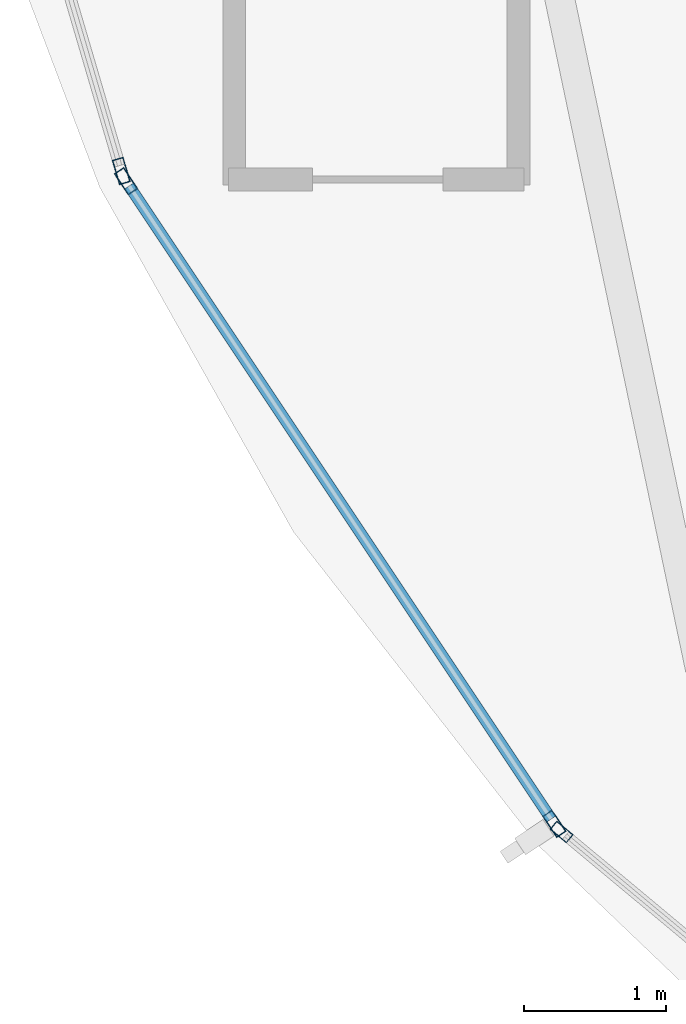
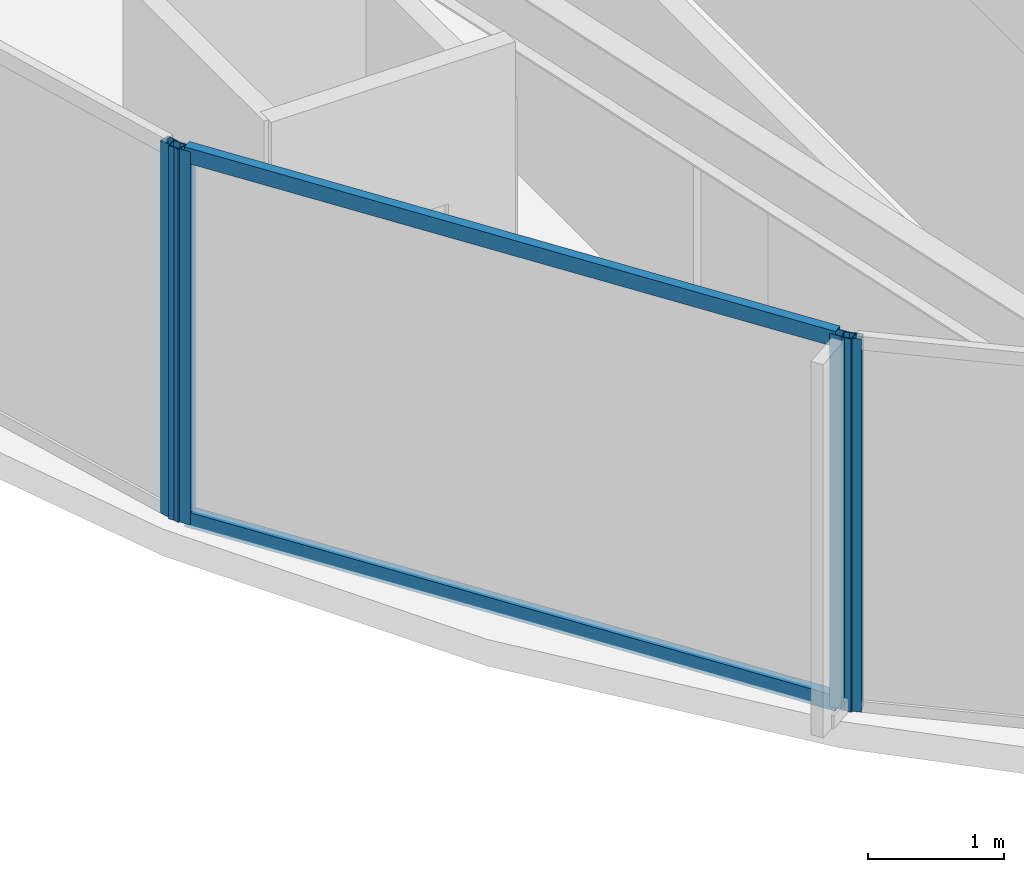
# One storey, part 3 of 28: 6 members, 3 elements without a shape of their own.
"""IFC4 building model written with IfcOpenShell, lengths in metres."""

from ifc_helpers import new_model, si_unit, direction, frame, origin, origin_2d, place, context, subcontext, project, spatial, hollow_rectangle, extrude, material, layer, layer_set, material_profile, profile_set, type_object, element, aggregate, save


model = new_model("IFC4")

# Units and contexts
model_context = context("Model", 3, precision=1e-05, world=origin(), true_north=direction((0.0, 1.0)))
body_context = subcontext(model_context, "Body", "Model", "MODEL_VIEW")
ifc_project = project(units=[si_unit("LENGTHUNIT", "METRE"), si_unit("AREAUNIT", "SQUARE_METRE"), si_unit("VOLUMEUNIT", "CUBIC_METRE"), si_unit("PLANEANGLEUNIT", "RADIAN"), si_unit("MASSUNIT", "GRAM", prefix="KILO")], contexts=[model_context])

# Site, building, storey
site_placement = place(None, origin())
site = spatial("IfcSite", under=ifc_project, at=site_placement, CompositionType="ELEMENT")
building_placement = place(site_placement, origin())
building = spatial("IfcBuilding", under=site, at=building_placement, Name="Kazevale Care Tower and Concert Hall", CompositionType="ELEMENT")
storey_placement = place(building_placement, frame((0.0, 0.0, 231.60009765625)))
storey = spatial("IfcBuildingStorey", under=building, at=storey_placement, Name="L61", CompositionType="ELEMENT", Elevation=231.60009765625)

# Curtain wall, members
ifc_material_1 = material(Name="Aluminium 6063-T6 and Low-E Glass", Category="aluminium")
ifc_layer_1 = layer(ifc_material_1, 0.179931640625)
ifc_layer_set_1 = layer_set([ifc_layer_1], Name="Aluminium 6063-T6 and Low-E Glass")
curtain_wall_type_1 = type_object("IfcCurtainWallType", Name="Waist & Upper Residential Curtain Wall CW-4", PredefinedType="NOTDEFINED", material=ifc_layer_set_1)
curtain_wall_1_placement = place(storey_placement, origin())
curtain_wall_1 = element("IfcCurtainWall", 1, at=curtain_wall_1_placement, inside=storey, type_object=curtain_wall_type_1, Name="cw:L61:f11", PredefinedType="NOTDEFINED")
ifc_material_2 = material(Name="Aluminium 6063-T6", Category="aluminium")
ifc_material_profile_1 = material_profile(ifc_material_2, hollow_rectangle(XDim=0.080078125, YDim=0.179931640625, WallThickness=0.0048828125, at=origin_2d()), Name="ALU80x180x5")
ifc_profile_set_1 = profile_set([ifc_material_profile_1], Name="Aluminium 6063-T6")
member_type_1 = type_object("IfcMemberType", Name="CW-4 Mullion ALU80x180x5", PredefinedType="MULLION", material=ifc_profile_set_1)
member_1_placement = place(storey_placement, frame((18.185791015625, 25.26318359375, 0.0), z_axis=(0.0, 0.0, 1.0), x_axis=(-0.832106058512, -0.554616540853, 0.0)))
member_1 = element("IfcMember", 2, at=member_1_placement, type_object=member_type_1, Name="CW-4 mullion 1", PredefinedType="MULLION", context=body_context, shape_type="SweptSolid", body=[
    extrude(hollow_rectangle(XDim=0.080078125, YDim=0.179931640625, WallThickness=0.0048828125, at=origin_2d()), origin(), (0.0, 0.0, 1.0), 3.35986328125),
])
member_2_placement = place(storey_placement, frame((15.170166015625, 29.78759765625, 0.0), z_axis=(0.0, 0.0, 1.0), x_axis=(-0.832106058512, -0.554616540853, 0.0)))
member_2 = element("IfcMember", 3, at=member_2_placement, type_object=member_type_1, Name="CW-4 mullion 2", PredefinedType="MULLION", context=body_context, shape_type="SweptSolid", body=[
    extrude(hollow_rectangle(XDim=0.080078125, YDim=0.179931640625, WallThickness=0.0048828125, at=origin_2d()), origin(), (0.0, 0.0, 1.0), 3.35986328125),
])

# Curtain wall, member
curtain_wall_2_placement = place(storey_placement, origin())
curtain_wall_2 = element("IfcCurtainWall", 4, at=curtain_wall_2_placement, inside=storey, type_object=curtain_wall_type_1, Name="cw:L61:f12", PredefinedType="NOTDEFINED")
member_3_placement = place(storey_placement, frame((15.13671875, 29.859375, 0.0), z_axis=(0.0, 0.0, 1.0), x_axis=(-0.959385539982, -0.282098184457, 0.0)))
member_3 = element("IfcMember", 5, at=member_3_placement, type_object=member_type_1, Name="CW-4 mullion 1", PredefinedType="MULLION", context=body_context, shape_type="SweptSolid", body=[
    extrude(hollow_rectangle(XDim=0.080078125, YDim=0.179931640625, WallThickness=0.0048828125, at=origin_2d()), origin(), (0.0, 0.0, 1.0), 3.35986328125),
])
aggregate(curtain_wall_2, [member_3])

# Member
ifc_material_profile_2 = material_profile(ifc_material_2, hollow_rectangle(XDim=0.080078125, YDim=0.139892578125, WallThickness=0.00390625, at=origin_2d()), Name="ALU80x140x4")
ifc_profile_set_2 = profile_set([ifc_material_profile_2], Name="Aluminium 6063-T6")
member_type_2 = type_object("IfcMemberType", Name="CW-4 Transom ALU80x140x4", PredefinedType="USERDEFINED", material=ifc_profile_set_2)
member_4_placement = place(storey_placement, frame((18.16357421875, 25.296630859375, 0.039794921875), z_axis=(-0.554616059735, 0.832106379187, 0.0), x_axis=(-0.832106379187, -0.554616059735, 0.0)))
member_4 = element("IfcMember", 6, at=member_4_placement, type_object=member_type_2, Name="CW-4 transom 1.1", ObjectType="TRANSOM", PredefinedType="USERDEFINED", context=body_context, shape_type="SweptSolid", body=[
    extrude(hollow_rectangle(XDim=0.080078125, YDim=0.139892578125, WallThickness=0.00390625, at=origin_2d()), origin(), (0.0, 0.0, 1.0), 5.357177734375),
])

member_5_placement = place(storey_placement, frame((18.16357421875, 25.296630859375, 3.31982421875), z_axis=(-0.554616059735, 0.832106379187, 0.0), x_axis=(-0.832106379187, -0.554616059735, 0.0)))
member_5 = element("IfcMember", 7, at=member_5_placement, type_object=member_type_2, Name="CW-4 transom 1.2", ObjectType="TRANSOM", PredefinedType="USERDEFINED", context=body_context, shape_type="SweptSolid", body=[
    extrude(hollow_rectangle(XDim=0.080078125, YDim=0.139892578125, WallThickness=0.00390625, at=origin_2d()), origin(), (0.0, 0.0, 1.0), 5.357177734375),
])

aggregate(curtain_wall_1, [member_1, member_2, member_4, member_5])

# Curtain wall, member
ifc_layer_2 = layer(ifc_material_1, 0.179931640625)
ifc_layer_set_2 = layer_set([ifc_layer_2], Name="Aluminium 6063-T6 and Low-E Glass")
curtain_wall_type_2 = type_object("IfcCurtainWallType", Name="Sheltered Concave Balcony Curtain Wall CW-5", PredefinedType="NOTDEFINED", material=ifc_layer_set_2)
curtain_wall_3_placement = place(storey_placement, origin())
curtain_wall_3 = element("IfcCurtainWall", 8, at=curtain_wall_3_placement, inside=storey, type_object=curtain_wall_type_2, Name="cw:L61:f10", PredefinedType="NOTDEFINED")
ifc_material_profile_3 = material_profile(ifc_material_2, hollow_rectangle(XDim=0.074951171875, YDim=0.14990234375, WallThickness=0.00390625, at=origin_2d()), Name="ALU75x150x4")
ifc_profile_set_3 = profile_set([ifc_material_profile_3], Name="Aluminium 6063-T6")
member_type_3 = type_object("IfcMemberType", Name="CW-5 Mullion ALU75x150x4", PredefinedType="MULLION", material=ifc_profile_set_3)
member_6_placement = place(storey_placement, frame((18.23681640625, 25.2060546875, 0.0), z_axis=(0.0, 0.0, 1.0), x_axis=(-0.639961217204, -0.768407210062, 0.0)))
member_6 = element("IfcMember", 9, at=member_6_placement, type_object=member_type_3, Name="CW-5 mullion 2", PredefinedType="MULLION", context=body_context, shape_type="SweptSolid", body=[
    extrude(hollow_rectangle(XDim=0.074951171875, YDim=0.14990234375, WallThickness=0.00390625, at=origin_2d()), origin(), (0.0, 0.0, 1.0), 3.35986328125),
])
aggregate(curtain_wall_3, [member_6])

save(model, "model.ifc")
